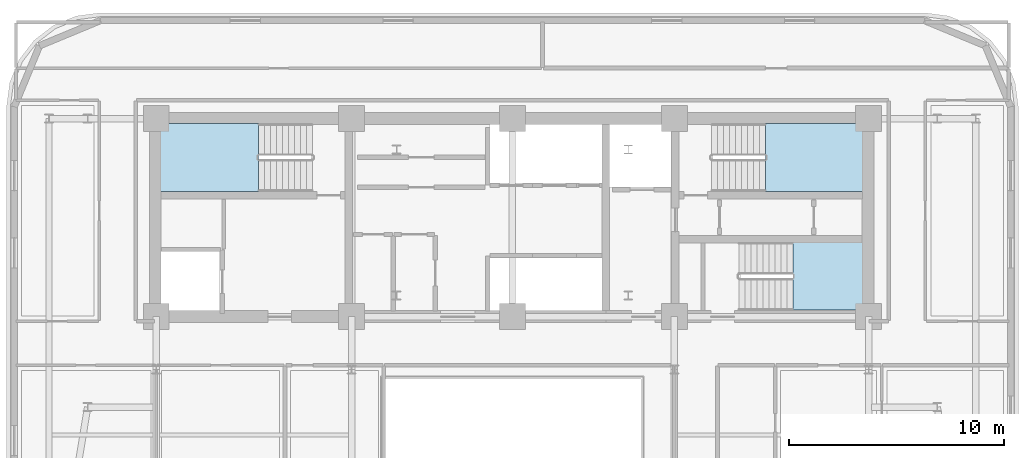
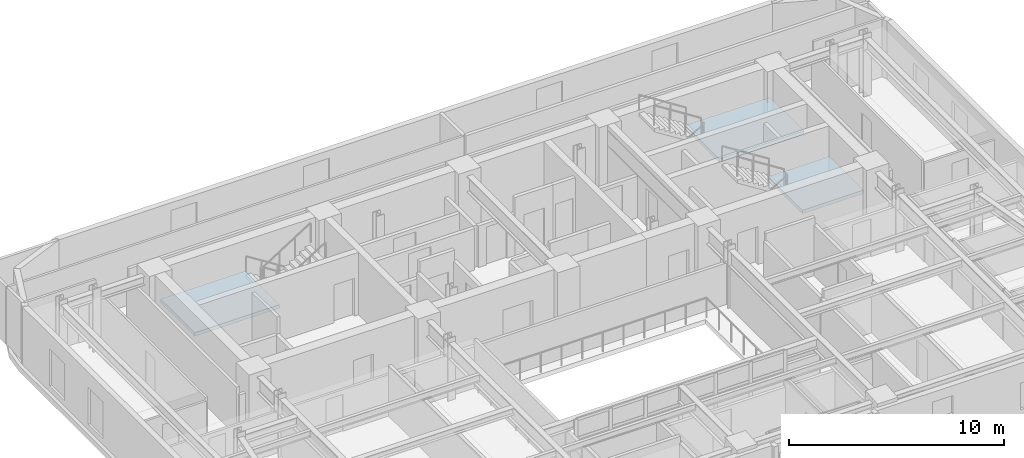
# One storey, part 4 of 13: 3 slabs, 3 elements without a shape of their own.
"""IFC4 building model written with IfcOpenShell, lengths in metres."""

import ifcopenshell
import ifcopenshell.guid

model = None  # the IFC model being written
_history = None  # IfcOwnerHistory: only IFC2X3 demands one
_inside = {}  # id of a spatial element -> (the spatial element, [elements in it])
_under = {}  # id of a project, library or spatial element -> (it, [spatial elements below it])
_declared = {}  # id of a project -> (the project, [libraries it declares])
_typed = {}  # id of a type object -> (the type object, [elements of that type])
_made_of = {}  # id of a material, layer set ... -> (it, [elements and type objects made of it])


def new_model(schema):
    """Start an empty IFC model of exactly this schema.

    Asked for "IFC4X3", IfcOpenShell would pick the latest addendum, in which some entities
    have other attributes; the version numbers below select the first issue.
    IFC2X3 requires an IfcOwnerHistory on every rooted entity: one is made here for all.
    """
    global model, _history
    if schema == "IFC4X3":
        model = ifcopenshell.file(schema_version=(4, 3, 0, 0))
    else:
        model = ifcopenshell.file(schema=schema)
    _inside.clear()
    _under.clear()
    _declared.clear()
    _typed.clear()
    _made_of.clear()
    _history = None
    if model.schema == "IFC2X3":
        org = make("IfcOrganization", Name="unknown")
        user = make(
            "IfcPersonAndOrganization",
            ThePerson=make("IfcPerson", FamilyName="unknown"),
            TheOrganization=org,
        )
        app = make(
            "IfcApplication",
            ApplicationDeveloper=org,
            Version="unknown",
            ApplicationFullName="unknown",
            ApplicationIdentifier="unknown",
        )
        _history = make(
            "IfcOwnerHistory",
            OwningUser=user,
            OwningApplication=app,
            ChangeAction="ADDED",
            CreationDate=0,
        )
    return model


def make(cls, **values):
    """One entity of the class cls with the attributes given. An attribute that is None is left unset."""
    return model.create_entity(
        cls, **{name: value for name, value in values.items() if value is not None}
    )


def rooted(cls, **values):
    """An entity with a GlobalId (a new one), such as an element, a storey or a relation."""
    return make(cls, GlobalId=ifcopenshell.guid.new(), OwnerHistory=_history, **values)


def si_unit(unit_type, name, prefix=None):
    """IfcSIUnit, for example si_unit("LENGTHUNIT", "METRE", prefix="MILLI")."""
    return make("IfcSIUnit", UnitType=unit_type, Prefix=prefix, Name=name)


def assignment(units):
    """IfcUnitAssignment: the units of a project."""
    return None if units is None else make("IfcUnitAssignment", Units=units)


def point(xyz):
    """IfcCartesianPoint."""
    return None if xyz is None else make("IfcCartesianPoint", Coordinates=xyz)


def direction(xyz):
    """IfcDirection."""
    return None if xyz is None else make("IfcDirection", DirectionRatios=xyz)


def frame(location, z_axis=None, x_axis=None):
    """IfcAxis2Placement3D, a coordinate frame: its origin and axes. An axis left out is left unset."""
    return make(
        "IfcAxis2Placement3D",
        Location=point(location),
        Axis=direction(z_axis),
        RefDirection=direction(x_axis),
    )


def origin():
    """The frame at (0, 0, 0) with its axes left unset."""
    return frame((0.0, 0.0, 0.0))


def place(relative_to, where):
    """IfcLocalPlacement: puts the frame where relative to a parent placement (None: the world)."""
    return make(
        "IfcLocalPlacement", PlacementRelTo=relative_to, RelativePlacement=where
    )


def context(
    kind, dimensions, precision=None, world=None, true_north=None, identifier=None
):
    """IfcGeometricRepresentationContext, for example the 3D "Model" context."""
    return make(
        "IfcGeometricRepresentationContext",
        ContextIdentifier=identifier,
        ContextType=kind,
        CoordinateSpaceDimension=dimensions,
        Precision=precision,
        WorldCoordinateSystem=world,
        TrueNorth=true_north,
    )


def subcontext(parent, identifier, kind, view, scale=None):
    """IfcGeometricRepresentationSubContext, for example "Body" below "Model"."""
    return make(
        "IfcGeometricRepresentationSubContext",
        ContextIdentifier=identifier,
        ContextType=kind,
        ParentContext=parent,
        TargetScale=scale,
        TargetView=view,
    )


def project(units=None, contexts=None):
    """IfcProject with its units and contexts."""
    return rooted(
        "IfcProject",
        Name="project",
        RepresentationContexts=contexts,
        UnitsInContext=assignment(units),
    )


def spatial(cls, under=None, at=None, **own):
    """A site, building, storey or space (cls), placed at a placement, below another one or the project."""
    s = rooted(cls, ObjectPlacement=at, **own)
    if under is not None:
        _under.setdefault(under.id(), (under, []))[1].append(s)
    return s


def polyline(points):
    """IfcPolyline through the points."""
    return make("IfcPolyline", Points=[point(p) for p in points])


def outline(outer, holes=None, kind="AREA"):
    """IfcArbitraryClosedProfileDef: a profile drawn as a closed curve; with holes, ...WithVoids."""
    if holes is None:
        return make("IfcArbitraryClosedProfileDef", ProfileType=kind, OuterCurve=outer)
    return make(
        "IfcArbitraryProfileDefWithVoids",
        ProfileType=kind,
        OuterCurve=outer,
        InnerCurves=holes,
    )


def extrude(swept, where, along, depth):
    """IfcExtrudedAreaSolid: the profile swept, set in the frame where, extruded along a direction by depth."""
    return make(
        "IfcExtrudedAreaSolid",
        SweptArea=swept,
        Position=where,
        ExtrudedDirection=direction(along),
        Depth=depth,
    )


def shape(context_of_items, identifier, shape_type, items):
    """IfcShapeRepresentation: the items that make up one representation, for example the "Body"."""
    return make(
        "IfcShapeRepresentation",
        ContextOfItems=context_of_items,
        RepresentationIdentifier=identifier,
        RepresentationType=shape_type,
        Items=items,
    )


def material(Name=None, Category=None):
    """IfcMaterial."""
    return make("IfcMaterial", Name=Name, Category=Category)


def layer(
    of_material, thickness, ventilated=None, Name=None, Category=None, Priority=None
):
    """IfcMaterialLayer: one layer of a wall or slab, of a material (None: an air gap)."""
    return make(
        "IfcMaterialLayer",
        Material=of_material,
        LayerThickness=thickness,
        IsVentilated=ventilated,
        Name=Name,
        Category=Category,
        Priority=Priority,
    )


def layer_set(layers, Name=None):
    """IfcMaterialLayerSet."""
    return make("IfcMaterialLayerSet", MaterialLayers=layers, LayerSetName=Name)


def made_of(thing, what):
    """Note that an element or type object is made of a material, layer set ...; save() writes the relation."""
    if what is not None:
        _made_of.setdefault(what.id(), (what, []))[1].append(thing)
    return thing


def type_object(cls, material=None, **own):
    """A type object (cls), such as IfcWallType, which elements share."""
    return made_of(rooted(cls, **own), material)


def element(
    cls,
    number,
    at=None,
    inside=None,
    cuts=None,
    type_object=None,
    material=None,
    context=None,
    identifier="Body",
    shape_type=None,
    held_by="IfcProductDefinitionShape",
    body=None,
    shapes=None,
    **own,
):
    """One element of the class cls, such as IfcWall. Its Tag is "e" and its number.

    at: its placement. inside: the storey or other place that contains it. cuts: it is an
    opening in that element (IfcRelVoidsElement). A single representation is given by context,
    identifier, shape_type and body (its items); several are given by shapes. held_by: the class
    of the entity that holds the representations. save() writes the other relations.
    """
    e = rooted(cls, Tag="e%d" % number, ObjectPlacement=at, **own)
    if body is not None:
        shapes = [shape(context, identifier, shape_type, body)]
    if shapes is not None:
        e.Representation = make(held_by, Representations=shapes)
    if inside is not None:
        _inside.setdefault(inside.id(), (inside, []))[1].append(e)
    if cuts is not None:
        rooted(
            "IfcRelVoidsElement", RelatingBuildingElement=cuts, RelatedOpeningElement=e
        )
    if type_object is not None:
        _typed.setdefault(type_object.id(), (type_object, []))[1].append(e)
    return made_of(e, material)


def aggregate(whole, parts):
    """IfcRelAggregates: a whole, such as a stair, and the parts it consists of."""
    return rooted("IfcRelAggregates", RelatingObject=whole, RelatedObjects=parts)


def save(model, path):
    """Write the relations noted so far, then the file.

    IfcRelAggregates (storeys below a building ...), IfcRelContainedInSpatialStructure (elements
    in a storey), IfcRelDefinesByType, IfcRelAssociatesMaterial and IfcRelDeclares: one each for
    every whole, place, type object, material and project.
    """
    for whole, parts in _under.values():
        aggregate(whole, parts)
    for where, things in _inside.values():
        rooted(
            "IfcRelContainedInSpatialStructure",
            RelatedElements=things,
            RelatingStructure=where,
        )
    for kind, things in _typed.values():
        rooted("IfcRelDefinesByType", RelatedObjects=things, RelatingType=kind)
    for what, things in _made_of.values():
        rooted("IfcRelAssociatesMaterial", RelatedObjects=things, RelatingMaterial=what)
    for by, libraries in _declared.values():
        rooted("IfcRelDeclares", RelatingContext=by, RelatedDefinitions=libraries)
    model.write(path)


model = new_model("IFC4")

# Units and contexts
model_context = context("Model", 3, precision=1e-05, world=origin(), true_north=direction((0.0, 1.0)))
body_context = subcontext(model_context, "Body", "Model", "MODEL_VIEW")
ifc_project = project(units=[si_unit("LENGTHUNIT", "METRE"), si_unit("AREAUNIT", "SQUARE_METRE"), si_unit("VOLUMEUNIT", "CUBIC_METRE"), si_unit("PLANEANGLEUNIT", "RADIAN"), si_unit("MASSUNIT", "GRAM", prefix="KILO")], contexts=[model_context])

# Site, building, storey
site_placement = place(None, origin())
site = spatial("IfcSite", under=ifc_project, at=site_placement, CompositionType="ELEMENT")
building_placement = place(site_placement, origin())
building = spatial("IfcBuilding", under=site, at=building_placement, Name="Zarnavel Station Tower", CompositionType="ELEMENT")
storey_placement = place(building_placement, frame((0.0, 0.0, 162.550048828125)))
storey = spatial("IfcBuildingStorey", under=building, at=storey_placement, Name="L44", CompositionType="ELEMENT", Elevation=162.550048828125)

# Stair, slab
ifc_material_1 = material(Name="Concrete C45/55", Category="concrete")
stair_type = type_object("IfcStairType", Name="ST_CORE_150", PredefinedType="HALF_TURN_STAIR", material=ifc_material_1)
stair_1_placement = place(storey_placement, origin())
stair_1 = element("IfcStair", 1, at=stair_1_placement, inside=storey, type_object=stair_type, Name="L44 Core Exit Stair ST1", PredefinedType="HALF_TURN_STAIR")
ifc_material_2 = material(Name="Concrete C45/55", Category="concrete")
ifc_layer = layer(ifc_material_2, 0.199951171875)
ifc_layer_set = layer_set([ifc_layer], Name="SL_STAIR_LAND_200")
slab_type = type_object("IfcSlabType", Name="SL_STAIR_LAND_200", PredefinedType="LANDING", material=ifc_layer_set)
slab_1_placement = place(storey_placement, frame((0.0, 0.0, 1.574951171875)))
slab_1 = element("IfcSlab", 2, at=slab_1_placement, type_object=slab_type, Name="ST1 landing 1", PredefinedType="LANDING", context=body_context, shape_type="SweptSolid", body=[
    extrude(outline(polyline([(16.9599609375, 36.820068359375), (12.39990234375, 36.820068359375), (12.39990234375, 33.659912109375), (16.9599609375, 33.659912109375), (16.9599609375, 36.820068359375)])), origin(), (0.0, 0.0, 1.0), 0.199951171875),
])
aggregate(stair_1, [slab_1])

stair_2_placement = place(storey_placement, origin())
stair_2 = element("IfcStair", 3, at=stair_2_placement, inside=storey, type_object=stair_type, Name="L44 Core Exit Stair ST2", PredefinedType="HALF_TURN_STAIR")
slab_2_placement = place(storey_placement, frame((0.0, 0.0, 1.574951171875)))
slab_2 = element("IfcSlab", 4, at=slab_2_placement, type_object=slab_type, Name="ST2 landing 1", PredefinedType="LANDING", context=body_context, shape_type="SweptSolid", body=[
    extrude(outline(polyline([(40.60009765625, 33.659912109375), (45.159912109375, 33.659912109375), (45.159912109375, 36.820068359375), (40.60009765625, 36.820068359375), (40.60009765625, 33.659912109375)])), origin(), (0.0, 0.0, 1.0), 0.199951171875),
])
aggregate(stair_2, [slab_2])

stair_3_placement = place(storey_placement, origin())
stair_3 = element("IfcStair", 5, at=stair_3_placement, inside=storey, type_object=stair_type, Name="L44 Core Exit Stair ST3", PredefinedType="HALF_TURN_STAIR")
slab_3_placement = place(storey_placement, frame((0.0, 0.0, 1.574951171875)))
slab_3 = element("IfcSlab", 6, at=slab_3_placement, type_object=slab_type, Name="ST3 landing 1", PredefinedType="LANDING", context=body_context, shape_type="SweptSolid", body=[
    extrude(outline(polyline([(41.8701171875, 28.1201171875), (45.14990234375, 28.1201171875), (45.14990234375, 31.280029296875), (41.8701171875, 31.280029296875), (41.8701171875, 28.1201171875)])), origin(), (0.0, 0.0, 1.0), 0.199951171875),
])
aggregate(stair_3, [slab_3])

save(model, "model.ifc")
